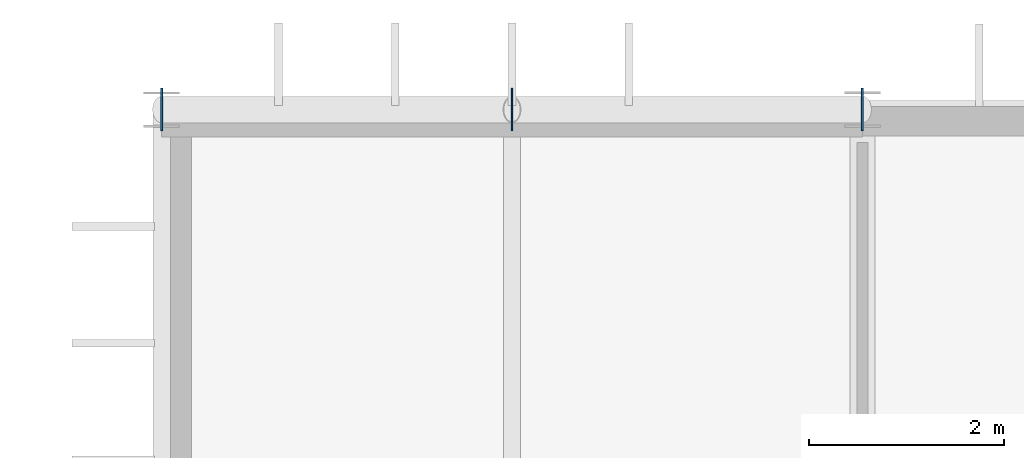
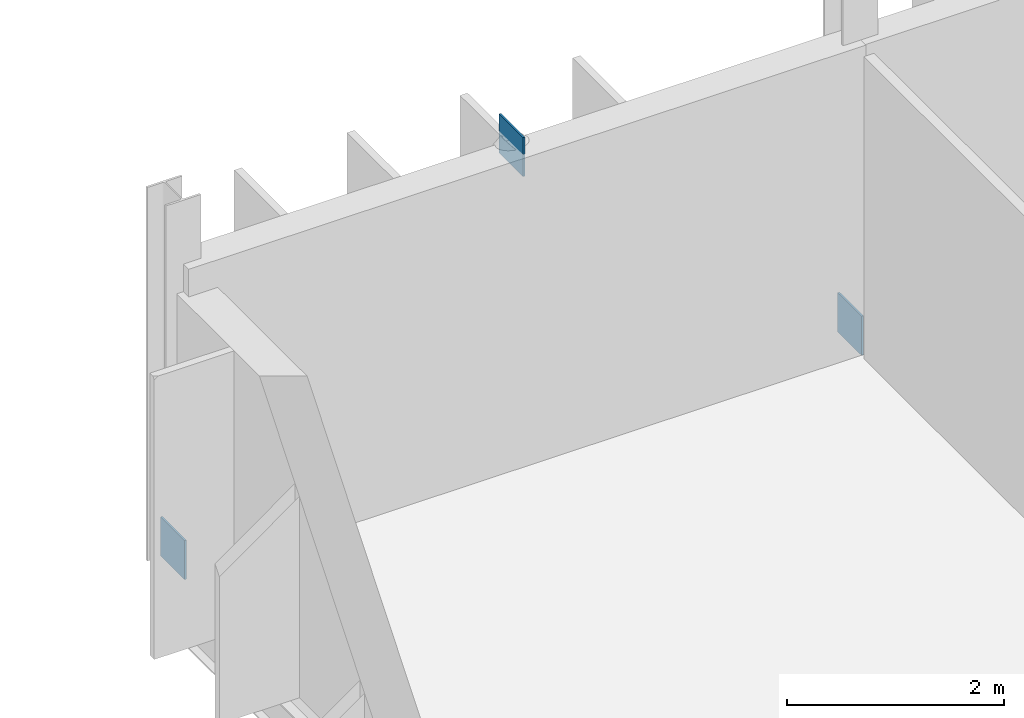
# One storey, part 88 of 119: 3 plates.
"""IFC4 building model written with IfcOpenShell, lengths in metres."""

from ifc_helpers import new_model, si_unit, direction, frame, origin, origin_2d, place, context, subcontext, project, spatial, rectangle, extrude, material, layer, layer_set, type_object, element, save


model = new_model("IFC4")

# Units and contexts
model_context = context("Model", 3, precision=1e-05, world=origin(), true_north=direction((0.0, 1.0)))
body_context = subcontext(model_context, "Body", "Model", "MODEL_VIEW")
ifc_project = project(units=[si_unit("LENGTHUNIT", "METRE"), si_unit("AREAUNIT", "SQUARE_METRE"), si_unit("VOLUMEUNIT", "CUBIC_METRE"), si_unit("PLANEANGLEUNIT", "RADIAN"), si_unit("MASSUNIT", "GRAM", prefix="KILO")], contexts=[model_context])

# Site, building, storey
site_placement = place(None, origin())
site = spatial("IfcSite", under=ifc_project, at=site_placement, CompositionType="ELEMENT")
building_placement = place(site_placement, origin())
building = spatial("IfcBuilding", under=site, at=building_placement, Name="Qelthora Terrace Specialist Clinic", CompositionType="ELEMENT")
storey_placement = place(building_placement, frame((0.0, 0.0, 4.800048828125)))
storey = spatial("IfcBuildingStorey", under=building, at=storey_placement, Name="L01", CompositionType="ELEMENT", Elevation=4.800048828125)

# Plates
ifc_material = material(Name="Steel S355", Category="steel")
ifc_layer = layer(ifc_material, 0.02001953125)
ifc_layer_set = layer_set([ifc_layer], Name="Steel S355")
plate_type = type_object("IfcPlateType", Name="PLT-GUS-480X480X20", PredefinedType="USERDEFINED", material=ifc_layer_set)
for number, where, z_axis, x_axis, name in (
    (1, (57.60009765625, 109.199951171875, -0.0400390625), (0.0, 0.0, 1.0), (1.0, 0.0, 0.0), "Steel truss node plate GPLT-0191"),
    (2, (61.199951171875, 109.199951171875, 3.22998046875), (0.0, 0.0, 1.0), (1.0, 0.0, 0.0), "Steel truss node plate GPLT-0192"),
    (3, (64.800048828125, 109.199951171875, -0.0400390625), (0.0, 0.0, 1.0), (1.0, 0.0, 0.0), "Steel truss node plate GPLT-0193"),
):
    element("IfcPlate", number, at=place(storey_placement, frame(where, z_axis=z_axis, x_axis=x_axis)), inside=storey, type_object=plate_type, Name=name, ObjectType="GUSSET PLATE", PredefinedType="USERDEFINED", context=body_context, shape_type="SweptSolid", body=[
        extrude(rectangle(XDim=0.02001953125, YDim=0.43994140625, at=origin_2d()), origin(), (0.0, 0.0, 1.0), 0.43994140625),
    ])

save(model, "model.ifc")
